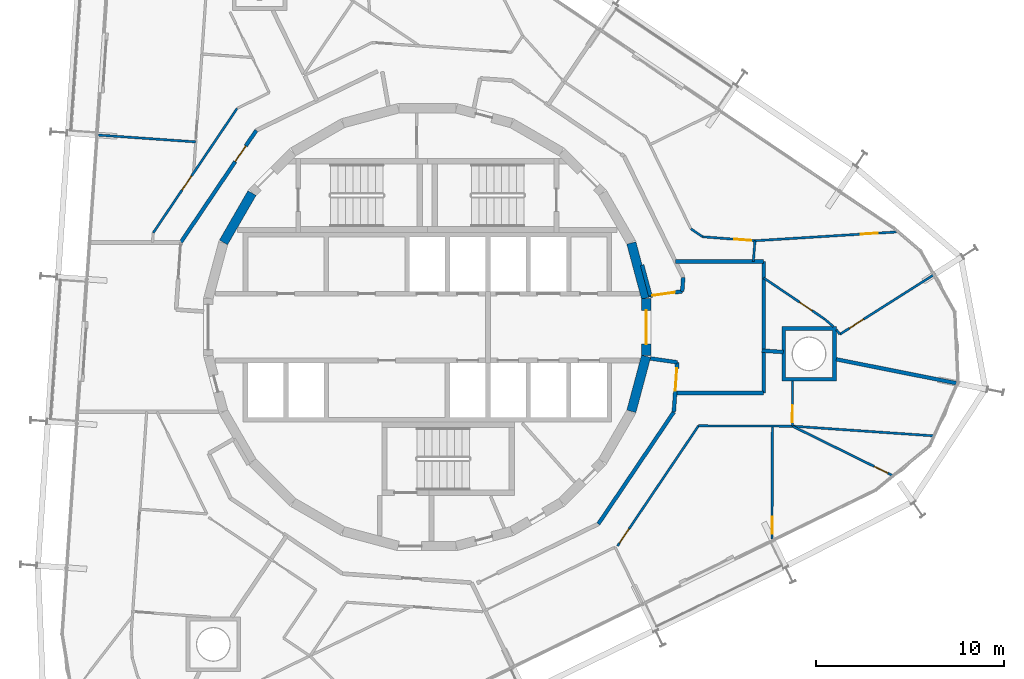
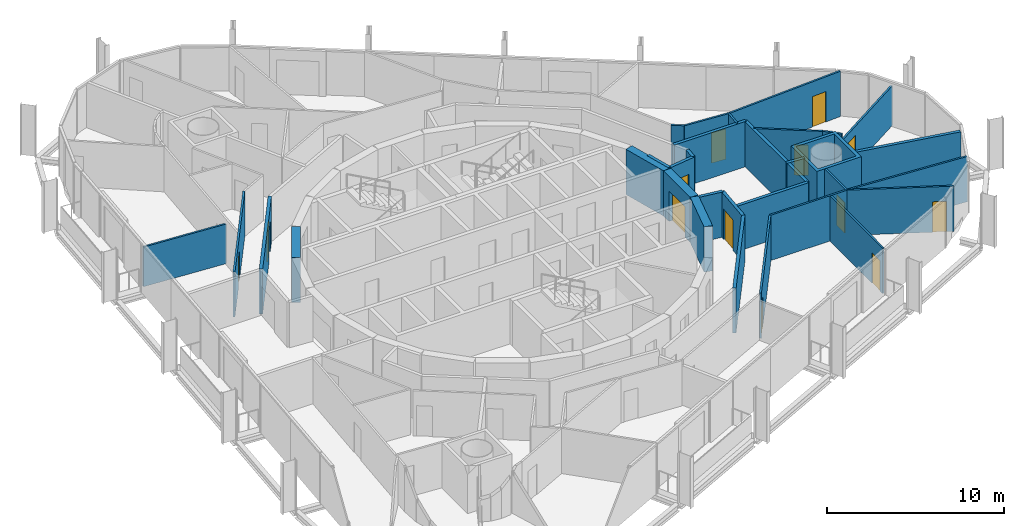
# One storey, part 14 of 17: 33 walls, 13 doors, 13 openings.
"""IFC4 building model written with IfcOpenShell, lengths in metres."""

from ifc_helpers import new_model, si_unit, direction, frame, frame_2d, origin, place, context, subcontext, project, spatial, polyline, rectangle, outline, extrude, material, layer, layer_set, type_object, element, fill, save


model = new_model("IFC4")

# Units and contexts
model_context = context("Model", 3, precision=1e-05, world=origin(), true_north=direction((0.0, 1.0)))
body_context = subcontext(model_context, "Body", "Model", "MODEL_VIEW")
ifc_project = project(units=[si_unit("LENGTHUNIT", "METRE"), si_unit("AREAUNIT", "SQUARE_METRE"), si_unit("VOLUMEUNIT", "CUBIC_METRE"), si_unit("PLANEANGLEUNIT", "RADIAN"), si_unit("MASSUNIT", "GRAM", prefix="KILO")], contexts=[model_context])

# Site, building, storey
site_placement = place(None, origin())
site = spatial("IfcSite", under=ifc_project, at=site_placement, CompositionType="ELEMENT")
building_placement = place(site_placement, origin())
building = spatial("IfcBuilding", under=site, at=building_placement, Name="Spindle Arch Residences", CompositionType="ELEMENT")
storey_placement = place(building_placement, frame((0.0, 0.0, 209.39990234375)))
storey = spatial("IfcBuildingStorey", under=building, at=storey_placement, Name="L53", CompositionType="ELEMENT", Elevation=209.39990234375)

# Wall
ifc_material_1 = material(Name="Concrete C50/60", Category="concrete")
ifc_layer_1 = layer(ifc_material_1, 0.5)
ifc_layer_set_1 = layer_set([ifc_layer_1], Name="Core outline wall 500")
wall_type_1 = type_object("IfcWallType", Name="Core outline wall 500", PredefinedType="SHEAR", material=ifc_layer_set_1)
wall_1_placement = place(storey_placement, frame((10.858154296875, -4.479248046875, 0.0), z_axis=(0.0, 0.0, 1.0), x_axis=(0.258734743916, 0.965948410781, 0.0)))
element("IfcWall", 1, at=wall_1_placement, inside=storey, type_object=wall_type_1, Name="Core outline wall 5", PredefinedType="SHEAR", context=body_context, shape_type="SweptSolid", body=[
    extrude(rectangle(XDim=3.03271484375, YDim=0.5, at=frame_2d((1.516357421875, 0.0))), origin(), (0.0, 0.0, 1.0), 3.1201171875),
])

# Wall, opening, door
wall_2_placement = place(storey_placement, frame((11.647216796875, -1.516357421875, 0.0), z_axis=(0.0, 0.0, 1.0), x_axis=(0.0, 1.0, 0.0)))
wall_2 = element("IfcWall", 2, at=wall_2_placement, inside=storey, type_object=wall_type_1, Name="Core outline wall 6", PredefinedType="SHEAR", context=body_context, shape_type="SweptSolid", body=[
    extrude(rectangle(XDim=3.03271484375, YDim=0.5, at=frame_2d((1.516357421875, 0.0))), origin(), (0.0, 0.0, 1.0), 3.1201171875),
])
opening_1_placement = place(wall_2_placement, frame((0.6162109375, 0.0, 0.0)))
opening_1 = element("IfcOpeningElement", 3, at=opening_1_placement, cuts=wall_2, Name="Opening R5C0-FE01", PredefinedType="OPENING", context=body_context, shape_type="SweptSolid", body=[
    extrude(rectangle(XDim=1.800048828125, YDim=2.10009765625, at=frame_2d((0.89990234375, 1.050048828125))), frame((0.0, 0.260009765625, 0.0), z_axis=(0.0, -1.0, 0.0), x_axis=(1.0, 0.0, 0.0)), (0.0, 0.0, 1.0), 0.52001953125),
])
ifc_material_2 = material(Name="Steel, fire-resisting door", Category="steel")
door_type_1 = type_object("IfcDoorType", Name="Fire-lift lobby door 1800x2100", OperationType="DOUBLE_DOOR_SINGLE_SWING", PredefinedType="DOOR", material=ifc_material_2)
door_1_placement = place(opening_1_placement, origin())
door_1 = element("IfcDoor", 4, at=door_1_placement, inside=storey, type_object=door_type_1, Name="Fire-lift lobby door R5C0-FE01", OperationType="DOUBLE_DOOR_SINGLE_SWING", OverallHeight=2.10009765625, OverallWidth=1.800048828125, PredefinedType="DOOR", context=body_context, shape_type="SweptSolid", body=[
    extrude(rectangle(XDim=1.800048828125, YDim=2.10009765625, at=frame_2d((0.89990234375, 1.050048828125))), frame((0.0, 0.02490234375, 0.0), z_axis=(0.0, -1.0, 0.0), x_axis=(1.0, 0.0, 0.0)), (0.0, 0.0, 1.0), 0.050048828125),
])
fill(opening_1, door_1)

# Walls
for number, where, z_axis, x_axis, name in (
    (5, (11.642822265625, 1.5498046875, 0.0), (0.0, 0.0, 1.0), (-0.258734743916, 0.965948410781, 0.0), "Core outline wall 7"),
    (6, (-9.32861328125, 7.13671875, 0.0), (0.0, 0.0, 1.0), (-0.500087131594, -0.865975092491, 0.0), "Core outline wall 16"),
):
    element("IfcWall", number, at=place(storey_placement, frame(where, z_axis=z_axis, x_axis=x_axis)), inside=storey, type_object=wall_type_1, Name=name, PredefinedType="SHEAR", context=body_context, shape_type="SweptSolid", body=[
        extrude(rectangle(XDim=3.03271484375, YDim=0.5, at=frame_2d((1.516357421875, 0.0))), origin(), (0.0, 0.0, 1.0), 3.1201171875),
    ])

# Wall, opening, door
ifc_material_3 = material(Name="Calcium silicate block, plastered")
ifc_layer_2 = layer(ifc_material_3, 0.199951171875)
ifc_layer_set_2 = layer_set([ifc_layer_2], Name="Corridor wall 200")
wall_type_2 = type_object("IfcWallType", Name="Corridor wall 200", PredefinedType="STANDARD", material=ifc_layer_set_2)
wall_3_placement = place(storey_placement, frame((-9.101318359375, 10.469970703125, 0.0), z_axis=(0.0, 0.0, 1.0), x_axis=(-0.559195469534, -0.829035841718, 0.0)))
wall_3 = element("IfcWall", 7, at=wall_3_placement, inside=storey, type_object=wall_type_2, Name="Corridor wall R5C0-W012", PredefinedType="STANDARD", context=body_context, shape_type="SweptSolid", body=[
    extrude(rectangle(XDim=7.18115234375, YDim=0.199951171875, at=frame_2d((3.590576171875, 0.0))), origin(), (0.0, 0.0, 1.0), 3.1201171875),
])
opening_2_placement = place(wall_3_placement, frame((1.0, 0.0, 0.0)))
opening_2 = element("IfcOpeningElement", 8, at=opening_2_placement, cuts=wall_3, Name="Opening R5C0-FD03", PredefinedType="OPENING", context=body_context, shape_type="SweptSolid", body=[
    extrude(rectangle(XDim=1.0, YDim=2.10009765625, at=frame_2d((0.5, 1.050048828125))), frame((0.0, 0.10986328125, 0.0), z_axis=(0.0, -1.0, 0.0), x_axis=(1.0, 0.0, 0.0)), (0.0, 0.0, 1.0), 0.219970703125),
])
ifc_material_4 = material(Name="Timber, fire-resisting door set", Category="wood")
door_type_2 = type_object("IfcDoorType", Name="Flat entrance door 1000x2100", OperationType="NOTDEFINED", PredefinedType="DOOR", material=ifc_material_4)
door_2_placement = place(opening_2_placement, origin())
door_2 = element("IfcDoor", 9, at=door_2_placement, inside=storey, type_object=door_type_2, Name="Flat entrance door R5C0-FD03", OperationType="SINGLE_SWING_LEFT", OverallHeight=2.10009765625, OverallWidth=1.0, PredefinedType="DOOR", context=body_context, shape_type="SweptSolid", body=[
    extrude(rectangle(XDim=1.0, YDim=2.10009765625, at=frame_2d((0.5, 1.050048828125))), frame((0.0, 0.02490234375, 0.0), z_axis=(0.0, -1.0, 0.0), x_axis=(1.0, 0.0, 0.0)), (0.0, 0.0, 1.0), 0.050048828125),
])
fill(opening_2, door_2)

# Walls
wall_4_placement = place(storey_placement, frame((9.101318359375, -10.469970703125, 0.0), z_axis=(0.0, 0.0, 1.0), x_axis=(0.559195469534, 0.829035841718, 0.0)))
element("IfcWall", 10, at=wall_4_placement, inside=storey, type_object=wall_type_2, Name="Corridor wall R5C0-W021", PredefinedType="STANDARD", context=body_context, shape_type="SweptSolid", body=[
    extrude(rectangle(XDim=7.18115234375, YDim=0.199951171875, at=frame_2d((3.590576171875, 0.0))), origin(), (0.0, 0.0, 1.0), 3.1201171875),
])
ifc_material_5 = material(Name="Calcium silicate block, plastered")
ifc_layer_3 = layer(ifc_material_5, 0.199951171875)
ifc_layer_set_3 = layer_set([ifc_layer_3], Name="Fire-lift lobby bay wall 200")
wall_type_3 = type_object("IfcWallType", Name="Fire-lift lobby bay wall 200", PredefinedType="STANDARD", material=ifc_layer_set_3)
wall_5_placement = place(storey_placement, frame((11.8701171875, 1.668212890625, 0.0), z_axis=(0.0, 0.0, 1.0), x_axis=(-0.258836880648, 0.965921047093, 0.0)))
element("IfcWall", 11, at=wall_5_placement, inside=storey, type_object=wall_type_3, Name="Fire-lift lobby bay wall R5C0-W001", PredefinedType="STANDARD", context=body_context, shape_type="SweptSolid", body=[
    extrude(rectangle(XDim=1.695068359375, YDim=0.199951171875, at=frame_2d((0.84765625, 0.0))), origin(), (0.0, 0.0, 1.0), 3.1201171875),
])

# Wall, opening, door
wall_6_placement = place(storey_placement, frame((11.8701171875, 1.668212890625, 0.0), z_axis=(0.0, 0.0, 1.0), x_axis=(0.990271931984, 0.139145609792, 0.0)))
wall_6 = element("IfcWall", 12, at=wall_6_placement, inside=storey, type_object=wall_type_3, Name="Fire-lift lobby bay wall R5C0-W002", PredefinedType="STANDARD", context=body_context, shape_type="SweptSolid", body=[
    extrude(rectangle(XDim=1.71240234375, YDim=0.199951171875, at=frame_2d((0.856201171875, 0.0))), origin(), (0.0, 0.0, 1.0), 3.1201171875),
])
opening_3_placement = place(wall_6_placement, frame((0.110107421875, 0.0, 0.0)))
opening_3 = element("IfcOpeningElement", 13, at=opening_3_placement, cuts=wall_6, Name="Opening R5C0-CD01", PredefinedType="OPENING", context=body_context, shape_type="SweptSolid", body=[
    extrude(rectangle(XDim=1.199951171875, YDim=2.10009765625, at=frame_2d((0.60009765625, 1.050048828125))), frame((0.0, 0.10986328125, 0.0), z_axis=(0.0, -1.0, 0.0), x_axis=(1.0, 0.0, 0.0)), (0.0, 0.0, 1.0), 0.219970703125),
])
ifc_material_6 = material(Name="Steel, fire-resisting door", Category="steel")
door_type_3 = type_object("IfcDoorType", Name="Corridor division door 1200x2100", OperationType="NOTDEFINED", PredefinedType="DOOR", material=ifc_material_6)
door_3_placement = place(opening_3_placement, origin())
door_3 = element("IfcDoor", 14, at=door_3_placement, inside=storey, type_object=door_type_3, Name="Corridor division door R5C0-CD01", OperationType="DOUBLE_DOOR_SINGLE_SWING", OverallHeight=2.10009765625, OverallWidth=1.199951171875, PredefinedType="DOOR", context=body_context, shape_type="SweptSolid", body=[
    extrude(rectangle(XDim=1.199951171875, YDim=2.10009765625, at=frame_2d((0.60009765625, 1.050048828125))), frame((0.0, 0.02490234375, 0.0), z_axis=(0.0, -1.0, 0.0), x_axis=(1.0, 0.0, 0.0)), (0.0, 0.0, 1.0), 0.050048828125),
])
fill(opening_3, door_3)

# Wall
wall_7_placement = place(storey_placement, frame((13.56591796875, 1.906494140625, 0.0), z_axis=(0.0, 0.0, 1.0), x_axis=(0.07005495793, 0.997543133338, 0.0)))
element("IfcWall", 15, at=wall_7_placement, inside=storey, type_object=wall_type_3, Name="Fire-lift lobby bay wall R5C0-W003", PredefinedType="STANDARD", context=body_context, shape_type="SweptSolid", body=[
    extrude(rectangle(XDim=0.7421875, YDim=0.199951171875, at=frame_2d((0.37109375, 0.0))), origin(), (0.0, 0.0, 1.0), 3.1201171875),
])

# Wall, opening, door
wall_8_placement = place(storey_placement, frame((13.116943359375, -4.5166015625, 0.0), z_axis=(0.0, 0.0, 1.0), x_axis=(0.069736659613, 0.997565435601, 0.0)))
wall_8 = element("IfcWall", 16, at=wall_8_placement, inside=storey, type_object=wall_type_3, Name="Fire-lift lobby bay wall R5C0-W013", PredefinedType="STANDARD", context=body_context, shape_type="SweptSolid", body=[
    extrude(rectangle(XDim=2.653564453125, YDim=0.199951171875, at=frame_2d((1.32666015625, 0.0))), origin(), (0.0, 0.0, 1.0), 3.1201171875),
])
opening_4_placement = place(wall_8_placement, frame((1.134033203125, 0.0, 0.0)))
opening_4 = element("IfcOpeningElement", 17, at=opening_4_placement, cuts=wall_8, Name="Opening R5C0-CD02", PredefinedType="OPENING", context=body_context, shape_type="SweptSolid", body=[
    extrude(rectangle(XDim=1.199951171875, YDim=2.10009765625, at=frame_2d((0.60009765625, 1.050048828125))), frame((0.0, 0.10986328125, 0.0), z_axis=(0.0, -1.0, 0.0), x_axis=(1.0, 0.0, 0.0)), (0.0, 0.0, 1.0), 0.219970703125),
])
door_4_placement = place(opening_4_placement, origin())
door_4 = element("IfcDoor", 18, at=door_4_placement, inside=storey, type_object=door_type_3, Name="Corridor division door R5C0-CD02", OperationType="DOUBLE_DOOR_SINGLE_SWING", OverallHeight=2.10009765625, OverallWidth=1.199951171875, PredefinedType="DOOR", context=body_context, shape_type="SweptSolid", body=[
    extrude(rectangle(XDim=1.199951171875, YDim=2.10009765625, at=frame_2d((0.60009765625, 1.050048828125))), frame((0.0, 0.02490234375, 0.0), z_axis=(0.0, -1.0, 0.0), x_axis=(1.0, 0.0, 0.0)), (0.0, 0.0, 1.0), 0.050048828125),
])
fill(opening_4, door_4)

# Walls
wall_9_placement = place(storey_placement, frame((13.302001953125, -1.869384765625, 0.0), z_axis=(0.0, 0.0, 1.0), x_axis=(-0.990274397042, 0.13912806533, 0.0)))
element("IfcWall", 19, at=wall_9_placement, inside=storey, type_object=wall_type_3, Name="Fire-lift lobby bay wall R5C0-W014", PredefinedType="STANDARD", context=body_context, shape_type="SweptSolid", body=[
    extrude(rectangle(XDim=1.446044921875, YDim=0.199951171875, at=frame_2d((0.72314453125, 0.0))), origin(), (0.0, 0.0, 1.0), 3.1201171875),
])
wall_10_placement = place(storey_placement, frame((17.89990234375, 3.5, 0.0), z_axis=(0.0, 0.0, 1.0), x_axis=(-1.0, 0.0, 0.0)))
element("IfcWall", 20, at=wall_10_placement, inside=storey, type_object=wall_type_3, Name="Fire-lift lobby bay wall R5C0-W024", PredefinedType="STANDARD", context=body_context, shape_type="SweptSolid", body=[
    extrude(rectangle(XDim=4.697998046875, YDim=0.199951171875, at=frame_2d((2.34912109375, 0.0))), origin(), (0.0, 0.0, 1.0), 3.1201171875),
])
wall_11_placement = place(storey_placement, frame((17.89990234375, -3.5, 0.0), z_axis=(0.0, 0.0, 1.0), x_axis=(0.0, 1.0, 0.0)))
element("IfcWall", 21, at=wall_11_placement, inside=storey, type_object=wall_type_3, Name="Fire-lift lobby bay wall R5C0-W025", PredefinedType="STANDARD", context=body_context, shape_type="SweptSolid", body=[
    extrude(rectangle(XDim=7.0, YDim=0.199951171875, at=frame_2d((3.5, 0.0))), origin(), (0.0, 0.0, 1.0), 3.1201171875),
])
wall_12_placement = place(storey_placement, frame((13.18798828125, -3.5, 0.0), z_axis=(0.0, 0.0, 1.0), x_axis=(1.0, 0.0, 0.0)))
element("IfcWall", 22, at=wall_12_placement, inside=storey, type_object=wall_type_3, Name="Fire-lift lobby bay wall R5C0-W026", PredefinedType="STANDARD", context=body_context, shape_type="SweptSolid", body=[
    extrude(rectangle(XDim=4.7119140625, YDim=0.199951171875, at=frame_2d((2.35595703125, 0.0))), origin(), (0.0, 0.0, 1.0), 3.1201171875),
])
ifc_material_7 = material(Name="Plasterboard on steel studs", Category="steel")
ifc_layer_4 = layer(ifc_material_7, 0.1201171875)
ifc_layer_set_4 = layer_set([ifc_layer_4], Name="Flat partition 120")
wall_type_4 = type_object("IfcWallType", Name="Flat partition 120", PredefinedType="PARTITIONING", material=ifc_layer_set_4)
wall_13_placement = place(storey_placement, frame((17.3505859375, 3.5, 0.0), z_axis=(0.0, 0.0, 1.0), x_axis=(0.075374124137, 0.997155324616, 0.0)))
element("IfcWall", 23, at=wall_13_placement, inside=storey, type_object=wall_type_4, Name="Flat partition R5C0-W037", PredefinedType="PARTITIONING", context=body_context, shape_type="SweptSolid", body=[
    extrude(rectangle(XDim=1.101318359375, YDim=0.1201171875, at=frame_2d((0.55078125, 0.0))), origin(), (0.0, 0.0, 1.0), 3.1201171875),
])

# Wall, opening, door
wall_14_placement = place(storey_placement, frame((17.43359375, 4.59814453125, 0.0), z_axis=(0.0, 0.0, 1.0), x_axis=(-0.997152077354, 0.075417071205, 0.0)))
wall_14 = element("IfcWall", 24, at=wall_14_placement, inside=storey, type_object=wall_type_4, Name="Flat partition R5C0-W038", PredefinedType="PARTITIONING", context=body_context, shape_type="SweptSolid", body=[
    extrude(rectangle(XDim=2.787353515625, YDim=0.1201171875, at=frame_2d((1.3935546875, 0.0))), origin(), (0.0, 0.0, 1.0), 3.1201171875),
])
opening_5_placement = place(wall_14_placement, frame((0.199951171875, 0.0, 0.0)))
opening_5 = element("IfcOpeningElement", 25, at=opening_5_placement, cuts=wall_14, Name="Opening R5C0-ID01", PredefinedType="OPENING", context=body_context, shape_type="SweptSolid", body=[
    extrude(rectangle(XDim=0.89990234375, YDim=2.10009765625, at=frame_2d((0.449951171875, 1.050048828125))), frame((0.0, 0.070068359375, 0.0), z_axis=(0.0, -1.0, 0.0), x_axis=(1.0, 0.0, 0.0)), (0.0, 0.0, 1.0), 0.14013671875),
])
ifc_material_8 = material(Name="Timber door set", Category="wood")
door_type_4 = type_object("IfcDoorType", Name="Room door 900x2100", OperationType="NOTDEFINED", PredefinedType="DOOR", material=ifc_material_8)
door_5_placement = place(opening_5_placement, origin())
door_5 = element("IfcDoor", 26, at=door_5_placement, inside=storey, type_object=door_type_4, Name="Room door R5C0-ID01", OperationType="SINGLE_SWING_LEFT", OverallHeight=2.10009765625, OverallWidth=0.89990234375, PredefinedType="DOOR", context=body_context, shape_type="SweptSolid", body=[
    extrude(rectangle(XDim=0.89990234375, YDim=2.10009765625, at=frame_2d((0.449951171875, 1.050048828125))), frame((0.0, 0.02490234375, 0.0), z_axis=(0.0, -1.0, 0.0), x_axis=(1.0, 0.0, 0.0)), (0.0, 0.0, 1.0), 0.050048828125),
])
fill(opening_5, door_5)

# Walls
wall_15_placement = place(storey_placement, frame((14.654296875, 4.808349609375, 0.0), z_axis=(0.0, 0.0, 1.0), x_axis=(-0.829065184024, 0.559151965604, 0.0)))
element("IfcWall", 27, at=wall_15_placement, inside=storey, type_object=wall_type_4, Name="Flat partition R5C0-W039", PredefinedType="PARTITIONING", context=body_context, shape_type="SweptSolid", body=[
    extrude(rectangle(XDim=0.758056640625, YDim=0.1201171875, at=frame_2d((0.37890625, 0.0))), origin(), (0.0, 0.0, 1.0), 3.1201171875),
])
wall_16_placement = place(storey_placement, frame((21.610107421875, 0.02978515625, 0.0), z_axis=(0.0, 0.0, 1.0), x_axis=(-0.758532196215, 0.651635563259, 0.0)))
element("IfcWall", 28, at=wall_16_placement, inside=storey, type_object=wall_type_4, Name="Flat partition R5C0-W042", PredefinedType="PARTITIONING", context=body_context, shape_type="SweptSolid", body=[
    extrude(rectangle(XDim=0.618896484375, YDim=0.1201171875, at=frame_2d((0.3095703125, 0.0))), origin(), (0.0, 0.0, 1.0), 3.1201171875),
])

# Wall, opening, door
wall_17_placement = place(storey_placement, frame((21.140625, 0.43310546875, 0.0), z_axis=(0.0, 0.0, 1.0), x_axis=(-0.829049908454, 0.559174614313, 0.0)))
wall_17 = element("IfcWall", 29, at=wall_17_placement, inside=storey, type_object=wall_type_4, Name="Flat partition R5C0-W043", PredefinedType="PARTITIONING", context=body_context, shape_type="SweptSolid", body=[
    extrude(rectangle(XDim=3.908935546875, YDim=0.1201171875, at=frame_2d((1.95458984375, 0.0))), origin(), (0.0, 0.0, 1.0), 3.1201171875),
])
opening_6_placement = place(wall_17_placement, frame((0.800048828125, 0.0, 0.0)))
opening_6 = element("IfcOpeningElement", 30, at=opening_6_placement, cuts=wall_17, Name="Opening R5C0-BD01", PredefinedType="OPENING", context=body_context, shape_type="SweptSolid", body=[
    extrude(rectangle(XDim=0.800048828125, YDim=2.10009765625, at=frame_2d((0.39990234375, 1.050048828125))), frame((0.0, 0.070068359375, 0.0), z_axis=(0.0, -1.0, 0.0), x_axis=(1.0, 0.0, 0.0)), (0.0, 0.0, 1.0), 0.14013671875),
])
ifc_material_9 = material(Name="Timber door set", Category="wood")
door_type_5 = type_object("IfcDoorType", Name="Bathroom door 800x2100", OperationType="NOTDEFINED", PredefinedType="DOOR", material=ifc_material_9)
door_6_placement = place(opening_6_placement, origin())
door_6 = element("IfcDoor", 31, at=door_6_placement, inside=storey, type_object=door_type_5, Name="Bathroom door R5C0-BD01", OperationType="SINGLE_SWING_RIGHT", OverallHeight=2.10009765625, OverallWidth=0.800048828125, PredefinedType="DOOR", context=body_context, shape_type="SweptSolid", body=[
    extrude(rectangle(XDim=0.800048828125, YDim=2.10009765625, at=frame_2d((0.39990234375, 1.050048828125))), frame((0.0, 0.02490234375, 0.0), z_axis=(0.0, -1.0, 0.0), x_axis=(1.0, 0.0, 0.0)), (0.0, 0.0, 1.0), 0.050048828125),
])
fill(opening_6, door_6)

wall_18_placement = place(storey_placement, frame((24.9560546875, 5.0654296875, 0.0), z_axis=(0.0, 0.0, 1.0), x_axis=(-0.998076202118, -0.061999151332, 0.0)))
wall_18 = element("IfcWall", 32, at=wall_18_placement, inside=storey, type_object=wall_type_4, Name="Flat partition R5C0-W044", PredefinedType="PARTITIONING", context=body_context, shape_type="SweptSolid", body=[
    extrude(rectangle(XDim=7.536865234375, YDim=0.1201171875, at=frame_2d((3.7685546875, 0.0))), origin(), (0.0, 0.0, 1.0), 3.1201171875),
])
opening_7_placement = place(wall_18_placement, frame((1.0, 0.0, 0.0)))
opening_7 = element("IfcOpeningElement", 33, at=opening_7_placement, cuts=wall_18, Name="Opening R5C0-ID03", PredefinedType="OPENING", context=body_context, shape_type="SweptSolid", body=[
    extrude(rectangle(XDim=0.89990234375, YDim=2.10009765625, at=frame_2d((0.449951171875, 1.050048828125))), frame((0.0, 0.070068359375, 0.0), z_axis=(0.0, -1.0, 0.0), x_axis=(1.0, 0.0, 0.0)), (0.0, 0.0, 1.0), 0.14013671875),
])
door_7_placement = place(opening_7_placement, origin())
door_7 = element("IfcDoor", 34, at=door_7_placement, inside=storey, type_object=door_type_4, Name="Room door R5C0-ID03", OperationType="SINGLE_SWING_LEFT", OverallHeight=2.10009765625, OverallWidth=0.89990234375, PredefinedType="DOOR", context=body_context, shape_type="SweptSolid", body=[
    extrude(rectangle(XDim=0.89990234375, YDim=2.10009765625, at=frame_2d((0.449951171875, 1.050048828125))), frame((0.0, 0.02490234375, 0.0), z_axis=(0.0, -1.0, 0.0), x_axis=(1.0, 0.0, 0.0)), (0.0, 0.0, 1.0), 0.050048828125),
])
fill(opening_7, door_7)

# Wall
wall_19_placement = place(storey_placement, frame((21.77197265625, -0.13623046875, 0.0), z_axis=(0.0, 0.0, 1.0), x_axis=(0.587310294779, -0.809361858285, 0.0)))
element("IfcWall", 35, at=wall_19_placement, inside=storey, type_object=wall_type_4, Name="Flat partition R5C0-W045", PredefinedType="PARTITIONING", context=body_context, shape_type="SweptSolid", body=[
    extrude(rectangle(XDim=0.303466796875, YDim=0.1201171875, at=frame_2d((0.15185546875, 0.0))), origin(), (0.0, 0.0, 1.0), 3.1201171875),
])

# Wall, opening, door
wall_20_placement = place(storey_placement, frame((-10.1201171875, 11.641845703125, 0.0), z_axis=(0.0, 0.0, 1.0), x_axis=(-0.55920080659, -0.829032241779, 0.0)))
wall_20 = element("IfcWall", 36, at=wall_20_placement, inside=storey, type_object=wall_type_4, Name="Flat partition R5C0-W059", PredefinedType="PARTITIONING", context=body_context, shape_type="SweptSolid", body=[
    extrude(rectangle(XDim=7.98486328125, YDim=0.1201171875, at=frame_2d((3.992431640625, 0.0))), origin(), (0.0, 0.0, 1.0), 3.1201171875),
])
opening_8_placement = place(wall_20_placement, frame((4.346435546875, 0.0, 0.0)))
opening_8 = element("IfcOpeningElement", 37, at=opening_8_placement, cuts=wall_20, Name="Opening R5C0-ID11", PredefinedType="OPENING", context=body_context, shape_type="SweptSolid", body=[
    extrude(rectangle(XDim=0.89990234375, YDim=2.10009765625, at=frame_2d((0.449951171875, 1.050048828125))), frame((0.0, 0.070068359375, 0.0), z_axis=(0.0, -1.0, 0.0), x_axis=(1.0, 0.0, 0.0)), (0.0, 0.0, 1.0), 0.14013671875),
])
door_8_placement = place(opening_8_placement, origin())
door_8 = element("IfcDoor", 38, at=door_8_placement, inside=storey, type_object=door_type_4, Name="Room door R5C0-ID11", OperationType="SINGLE_SWING_LEFT", OverallHeight=2.10009765625, OverallWidth=0.89990234375, PredefinedType="DOOR", context=body_context, shape_type="SweptSolid", body=[
    extrude(rectangle(XDim=0.89990234375, YDim=2.10009765625, at=frame_2d((0.449951171875, 1.050048828125))), frame((0.0, 0.02490234375, 0.0), z_axis=(0.0, -1.0, 0.0), x_axis=(1.0, 0.0, 0.0)), (0.0, 0.0, 1.0), 0.050048828125),
])
fill(opening_8, door_8)

wall_21_placement = place(storey_placement, frame((10.1201171875, -11.641845703125, 0.0), z_axis=(0.0, 0.0, 1.0), x_axis=(0.559201404667, 0.829031838362, 0.0)))
wall_21 = element("IfcWall", 39, at=wall_21_placement, inside=storey, type_object=wall_type_4, Name="Flat partition R5C0-W093", PredefinedType="PARTITIONING", context=body_context, shape_type="SweptSolid", body=[
    extrude(rectangle(XDim=7.708740234375, YDim=0.1201171875, at=frame_2d((3.8544921875, 0.0))), origin(), (0.0, 0.0, 1.0), 3.1201171875),
])
opening_9_placement = place(wall_21_placement, frame((0.199951171875, 0.0, 0.0)))
opening_9 = element("IfcOpeningElement", 40, at=opening_9_placement, cuts=wall_21, Name="Opening R5C0-ID23", PredefinedType="OPENING", context=body_context, shape_type="SweptSolid", body=[
    extrude(rectangle(XDim=0.89990234375, YDim=2.10009765625, at=frame_2d((0.449951171875, 1.050048828125))), frame((0.0, 0.070068359375, 0.0), z_axis=(0.0, -1.0, 0.0), x_axis=(1.0, 0.0, 0.0)), (0.0, 0.0, 1.0), 0.14013671875),
])
door_9_placement = place(opening_9_placement, origin())
door_9 = element("IfcDoor", 41, at=door_9_placement, inside=storey, type_object=door_type_4, Name="Room door R5C0-ID23", OperationType="SINGLE_SWING_RIGHT", OverallHeight=2.10009765625, OverallWidth=0.89990234375, PredefinedType="DOOR", context=body_context, shape_type="SweptSolid", body=[
    extrude(rectangle(XDim=0.89990234375, YDim=2.10009765625, at=frame_2d((0.449951171875, 1.050048828125))), frame((0.0, 0.02490234375, 0.0), z_axis=(0.0, -1.0, 0.0), x_axis=(1.0, 0.0, 0.0)), (0.0, 0.0, 1.0), 0.050048828125),
])
fill(opening_9, door_9)

# Wall
wall_22_placement = place(storey_placement, frame((14.430908203125, -5.2509765625, 0.0), z_axis=(0.0, 0.0, 1.0), x_axis=(0.999994153659, -0.003419451456, 0.0)))
element("IfcWall", 42, at=wall_22_placement, inside=storey, type_object=wall_type_4, Name="Flat partition R5C0-W094", PredefinedType="PARTITIONING", context=body_context, shape_type="SweptSolid", body=[
    extrude(rectangle(XDim=4.997802734375, YDim=0.1201171875, at=frame_2d((2.4990234375, 0.0))), origin(), (0.0, 0.0, 1.0), 3.1201171875),
])

# Wall, opening, door
wall_23_placement = place(storey_placement, frame((19.4287109375, -5.26806640625, 0.0), z_axis=(0.0, 0.0, 1.0), x_axis=(0.003360127656, 0.999994354755, 0.0)))
wall_23 = element("IfcWall", 43, at=wall_23_placement, inside=storey, type_object=wall_type_4, Name="Flat partition R5C0-W095", PredefinedType="PARTITIONING", context=body_context, shape_type="SweptSolid", body=[
    extrude(rectangle(XDim=2.397705078125, YDim=0.1201171875, at=frame_2d((1.19873046875, 0.0))), origin(), (0.0, 0.0, 1.0), 3.1201171875),
])
opening_10_placement = place(wall_23_placement, frame((0.199951171875, 0.0, 0.0)))
opening_10 = element("IfcOpeningElement", 44, at=opening_10_placement, cuts=wall_23, Name="Opening R5C0-ID24", PredefinedType="OPENING", context=body_context, shape_type="SweptSolid", body=[
    extrude(rectangle(XDim=0.89990234375, YDim=2.10009765625, at=frame_2d((0.449951171875, 1.050048828125))), frame((0.0, 0.070068359375, 0.0), z_axis=(0.0, -1.0, 0.0), x_axis=(1.0, 0.0, 0.0)), (0.0, 0.0, 1.0), 0.14013671875),
])
door_10_placement = place(opening_10_placement, origin())
door_10 = element("IfcDoor", 45, at=door_10_placement, inside=storey, type_object=door_type_4, Name="Room door R5C0-ID24", OperationType="SINGLE_SWING_RIGHT", OverallHeight=2.10009765625, OverallWidth=0.89990234375, PredefinedType="DOOR", context=body_context, shape_type="SweptSolid", body=[
    extrude(rectangle(XDim=0.89990234375, YDim=2.10009765625, at=frame_2d((0.449951171875, 1.050048828125))), frame((0.0, 0.02490234375, 0.0), z_axis=(0.0, -1.0, 0.0), x_axis=(1.0, 0.0, 0.0)), (0.0, 0.0, 1.0), 0.050048828125),
])
fill(opening_10, door_10)

wall_24_placement = place(storey_placement, frame((18.342529296875, -11.28173828125, 0.0), z_axis=(0.0, 0.0, 1.0), x_axis=(0.003448675073, 0.999994053302, 0.0)))
wall_24 = element("IfcWall", 46, at=wall_24_placement, inside=storey, type_object=wall_type_4, Name="Flat partition R5C0-W097", PredefinedType="PARTITIONING", context=body_context, shape_type="SweptSolid", body=[
    extrude(rectangle(XDim=6.017333984375, YDim=0.1201171875, at=frame_2d((3.0087890625, 0.0))), origin(), (0.0, 0.0, 1.0), 3.1201171875),
])
opening_11_placement = place(wall_24_placement, frame((0.300048828125, 0.0, 0.0)))
opening_11 = element("IfcOpeningElement", 47, at=opening_11_placement, cuts=wall_24, Name="Opening R5C0-ID25", PredefinedType="OPENING", context=body_context, shape_type="SweptSolid", body=[
    extrude(rectangle(XDim=0.89990234375, YDim=2.10009765625, at=frame_2d((0.449951171875, 1.050048828125))), frame((0.0, 0.070068359375, 0.0), z_axis=(0.0, -1.0, 0.0), x_axis=(1.0, 0.0, 0.0)), (0.0, 0.0, 1.0), 0.14013671875),
])
door_11_placement = place(opening_11_placement, origin())
door_11 = element("IfcDoor", 48, at=door_11_placement, inside=storey, type_object=door_type_4, Name="Room door R5C0-ID25", OperationType="SINGLE_SWING_RIGHT", OverallHeight=2.10009765625, OverallWidth=0.89990234375, PredefinedType="DOOR", context=body_context, shape_type="SweptSolid", body=[
    extrude(rectangle(XDim=0.89990234375, YDim=2.10009765625, at=frame_2d((0.449951171875, 1.050048828125))), frame((0.0, 0.02490234375, 0.0), z_axis=(0.0, -1.0, 0.0), x_axis=(1.0, 0.0, 0.0)), (0.0, 0.0, 1.0), 0.050048828125),
])
fill(opening_11, door_11)

wall_25_placement = place(storey_placement, frame((24.860595703125, -7.94287109375, 0.0), z_axis=(0.0, 0.0, 1.0), x_axis=(-0.897128390861, 0.441769906525, 0.0)))
wall_25 = element("IfcWall", 49, at=wall_25_placement, inside=storey, type_object=wall_type_4, Name="Flat partition R5C0-W098", PredefinedType="PARTITIONING", context=body_context, shape_type="SweptSolid", body=[
    extrude(rectangle(XDim=6.0546875, YDim=0.1201171875, at=frame_2d((3.02734375, 0.0))), origin(), (0.0, 0.0, 1.0), 3.1201171875),
])
opening_12_placement = place(wall_25_placement, frame((0.39990234375, 0.0, 0.0)))
opening_12 = element("IfcOpeningElement", 50, at=opening_12_placement, cuts=wall_25, Name="Opening R5C0-BD06", PredefinedType="OPENING", context=body_context, shape_type="SweptSolid", body=[
    extrude(rectangle(XDim=0.800048828125, YDim=2.10009765625, at=frame_2d((0.39990234375, 1.050048828125))), frame((0.0, 0.070068359375, 0.0), z_axis=(0.0, -1.0, 0.0), x_axis=(1.0, 0.0, 0.0)), (0.0, 0.0, 1.0), 0.14013671875),
])
door_12_placement = place(opening_12_placement, origin())
door_12 = element("IfcDoor", 51, at=door_12_placement, inside=storey, type_object=door_type_5, Name="Bathroom door R5C0-BD06", OperationType="SINGLE_SWING_RIGHT", OverallHeight=2.10009765625, OverallWidth=0.800048828125, PredefinedType="DOOR", context=body_context, shape_type="SweptSolid", body=[
    extrude(rectangle(XDim=0.800048828125, YDim=2.10009765625, at=frame_2d((0.39990234375, 1.050048828125))), frame((0.0, 0.02490234375, 0.0), z_axis=(0.0, -1.0, 0.0), x_axis=(1.0, 0.0, 0.0)), (0.0, 0.0, 1.0), 0.050048828125),
])
fill(opening_12, door_12)

# Wall
wall_26_placement = place(storey_placement, frame((26.96142578125, -5.78515625, 0.0), z_axis=(0.0, 0.0, 1.0), x_axis=(-0.997652165985, 0.068484711466, 0.0)))
element("IfcWall", 52, at=wall_26_placement, inside=storey, type_object=wall_type_4, Name="Flat partition R5C0-W099", PredefinedType="PARTITIONING", context=body_context, shape_type="SweptSolid", body=[
    extrude(rectangle(XDim=7.550537109375, YDim=0.1201171875, at=frame_2d((3.775390625, 0.0))), origin(), (0.0, 0.0, 1.0), 3.1201171875),
])

# Wall, opening, door
ifc_material_10 = material(Name="Plasterboard on steel studs", Category="steel")
ifc_layer_5 = layer(ifc_material_10, 0.1201171875)
ifc_layer_set_5 = layer_set([ifc_layer_5], Name="Flat partition 120 under beam 2730")
wall_type_5 = type_object("IfcWallType", Name="Flat partition 120 under beam 2730", PredefinedType="PARTITIONING", material=ifc_layer_set_5)
wall_27_placement = place(storey_placement, frame((21.9501953125, -0.3818359375, 0.0), z_axis=(0.0, 0.0, 1.0), x_axis=(0.844596663126, 0.535403097336, 0.0)))
wall_27 = element("IfcWall", 53, at=wall_27_placement, inside=storey, type_object=wall_type_5, Name="Flat partition R5C0-W046", PredefinedType="PARTITIONING", context=body_context, shape_type="SweptSolid", body=[
    extrude(rectangle(XDim=6.022216796875, YDim=0.1201171875, at=frame_2d((3.01123046875, 0.0))), origin(), (0.0, 0.0, 1.0), 2.72998046875),
])
opening_13_placement = place(wall_27_placement, frame((0.60009765625, 0.0, 0.0)))
opening_13 = element("IfcOpeningElement", 54, at=opening_13_placement, cuts=wall_27, Name="Opening R5C0-ID04", PredefinedType="OPENING", context=body_context, shape_type="SweptSolid", body=[
    extrude(rectangle(XDim=0.89990234375, YDim=2.10009765625, at=frame_2d((0.449951171875, 1.050048828125))), frame((0.0, 0.070068359375, 0.0), z_axis=(0.0, -1.0, 0.0), x_axis=(1.0, 0.0, 0.0)), (0.0, 0.0, 1.0), 0.14013671875),
])
door_13_placement = place(opening_13_placement, origin())
door_13 = element("IfcDoor", 55, at=door_13_placement, inside=storey, type_object=door_type_4, Name="Room door R5C0-ID04", OperationType="SINGLE_SWING_LEFT", OverallHeight=2.10009765625, OverallWidth=0.89990234375, PredefinedType="DOOR", context=body_context, shape_type="SweptSolid", body=[
    extrude(rectangle(XDim=0.89990234375, YDim=2.10009765625, at=frame_2d((0.449951171875, 1.050048828125))), frame((0.0, 0.02490234375, 0.0), z_axis=(0.0, -1.0, 0.0), x_axis=(1.0, 0.0, 0.0)), (0.0, 0.0, 1.0), 0.050048828125),
])
fill(opening_13, door_13)

# Walls
wall_28_placement = place(storey_placement, frame((-17.51025390625, 10.222412109375, 0.0), z_axis=(0.0, 0.0, 1.0), x_axis=(0.997563184303, -0.069768856397, 0.0)))
element("IfcWall", 56, at=wall_28_placement, inside=storey, type_object=wall_type_5, Name="Flat partition R5C0-W069", PredefinedType="PARTITIONING", context=body_context, shape_type="SweptSolid", body=[
    extrude(rectangle(XDim=5.199951171875, YDim=0.1201171875, at=frame_2d((2.60009765625, 0.0))), origin(), (0.0, 0.0, 1.0), 2.72998046875),
])
ifc_material_11 = material(Name="Calcium silicate block, plastered")
ifc_layer_6 = layer(ifc_material_11, 0.199951171875)
ifc_layer_set_6 = layer_set([ifc_layer_6], Name="Flat party wall 200")
wall_type_6 = type_object("IfcWallType", Name="Flat party wall 200", PredefinedType="STANDARD", material=ifc_layer_set_6)
wall_29_placement = place(storey_placement, frame((17.80029296875, -1.24560546875, 0.0), z_axis=(0.0, 0.0, 1.0), x_axis=(0.997562681713, -0.069776042122, 0.0)))
element("IfcWall", 57, at=wall_29_placement, inside=storey, type_object=wall_type_6, Name="Flat party wall R5C0-W028", PredefinedType="STANDARD", context=body_context, shape_type="SweptSolid", body=[
    extrude(rectangle(XDim=1.14404296875, YDim=0.199951171875, at=frame_2d((0.572021484375, 0.0))), origin(), (0.0, 0.0, 1.0), 3.1201171875),
])
ifc_material_12 = material(Name="Calcium silicate block, plastered")
ifc_layer_7 = layer(ifc_material_12, 0.199951171875)
ifc_layer_set_7 = layer_set([ifc_layer_7], Name="Flat party wall 200 under beam 2730")
wall_type_7 = type_object("IfcWallType", Name="Flat party wall 200 under beam 2730", PredefinedType="STANDARD", material=ifc_layer_set_7)
wall_30_placement = place(storey_placement, frame((21.761962890625, -1.70947265625, 0.0), z_axis=(0.0, 0.0, 1.0), x_axis=(0.980707365343, -0.195481619501, 0.0)))
element("IfcWall", 58, at=wall_30_placement, inside=storey, type_object=wall_type_7, Name="Flat party wall R5C0-W029", PredefinedType="STANDARD", context=body_context, shape_type="SweptSolid", body=[
    extrude(rectangle(XDim=6.511962890625, YDim=0.199951171875, at=frame_2d((3.255859375, 0.0))), origin(), (0.0, 0.0, 1.0), 2.72998046875),
])
ifc_material_13 = material(Name="Calcium silicate block, plastered")
ifc_layer_8 = layer(ifc_material_13, 0.199951171875)
ifc_layer_set_8 = layer_set([ifc_layer_8], Name="Mega-column casing wall 200")
wall_type_8 = type_object("IfcWallType", Name="Mega-column casing wall 200", PredefinedType="STANDARD", material=ifc_layer_set_8)
wall_31_placement = place(storey_placement, origin())
element("IfcWall", 59, at=wall_31_placement, inside=storey, type_object=wall_type_8, Name="Mega-column casing wall R5C0-WC03", PredefinedType="STANDARD", context=body_context, shape_type="SweptSolid", body=[
    extrude(outline(polyline([(21.761962890625, 0.02978515625), (21.761962890625, -2.870361328125), (18.86181640625, -2.870361328125), (18.86181640625, 0.02978515625), (21.761962890625, 0.02978515625)]), holes=[polyline([(19.06201171875, -2.67041015625), (21.56201171875, -2.67041015625), (21.56201171875, -0.17041015625), (19.06201171875, -0.17041015625), (19.06201171875, -2.67041015625)])]), origin(), (0.0, 0.0, 1.0), 3.1201171875),
])

save(model, "model.ifc")
